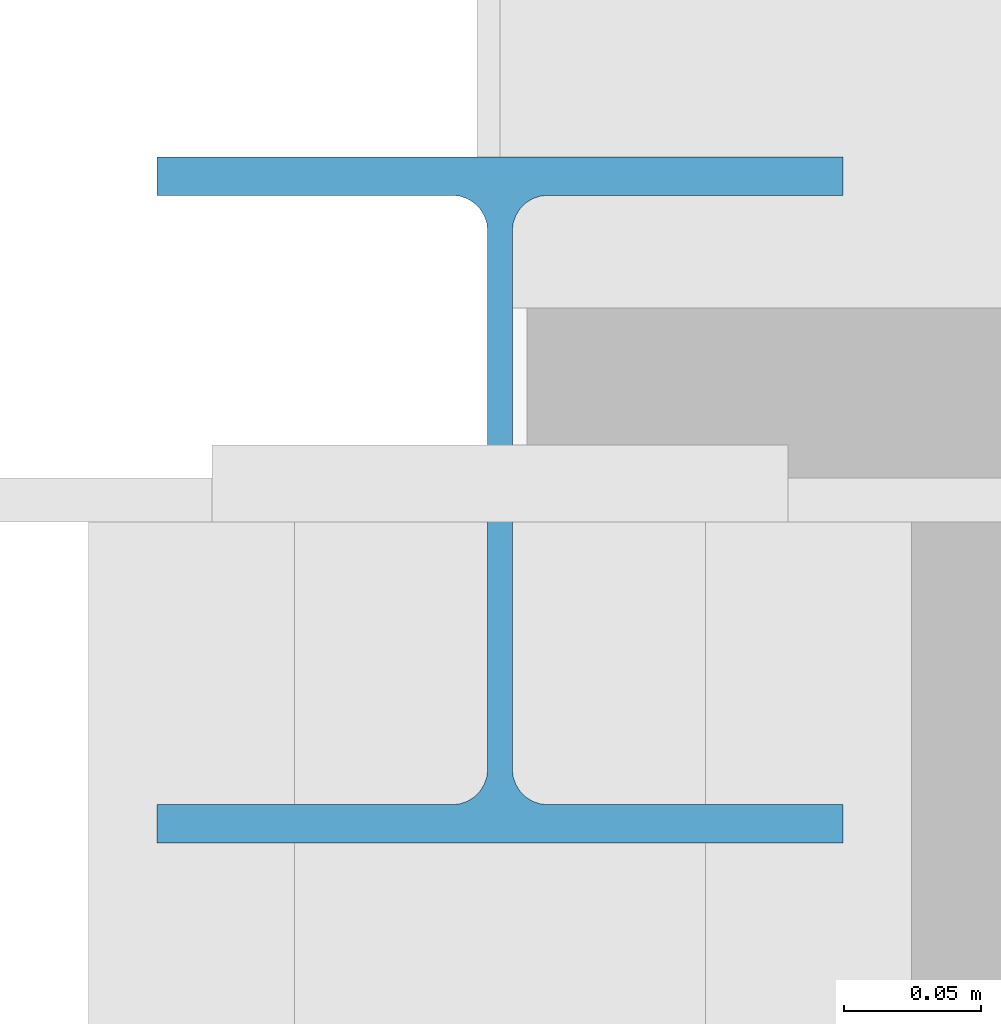
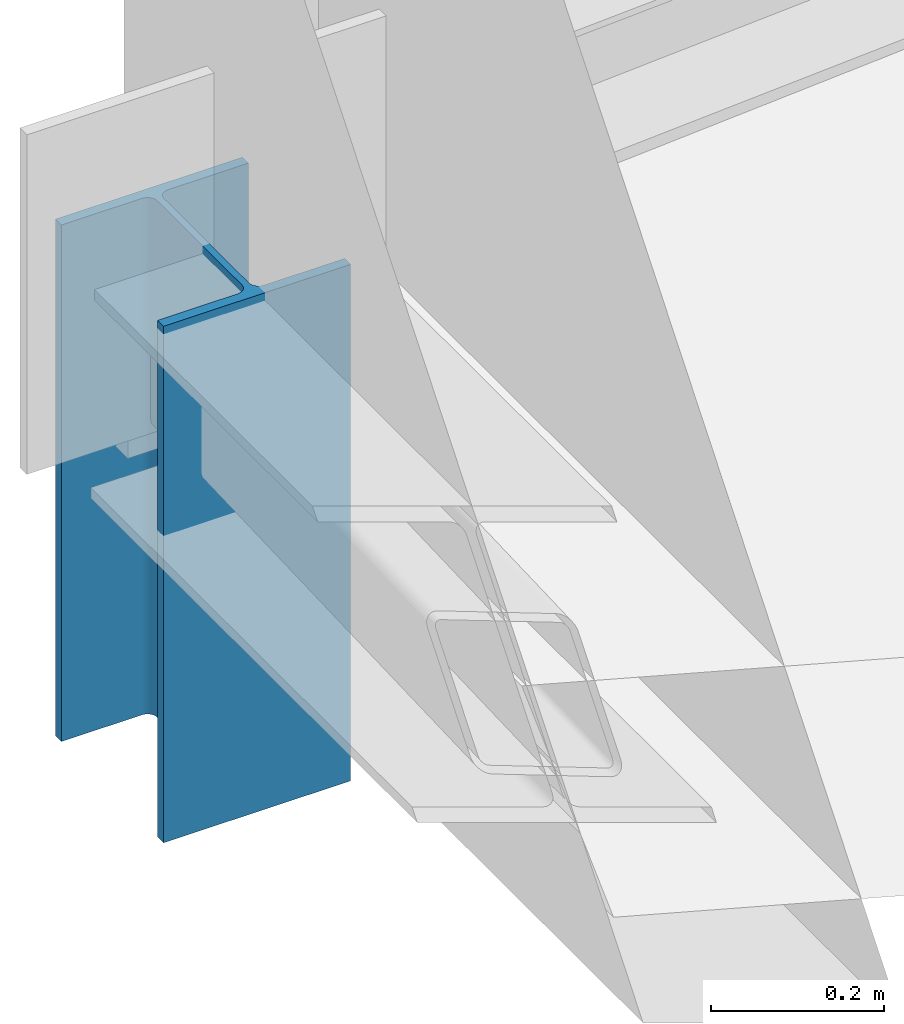
# One storey, part 51 of 77: 1 member.
"""IFC4 building model written with IfcOpenShell, lengths in metres."""

from ifc_helpers import new_model, si_unit, direction, frame, origin, origin_2d, place, context, subcontext, project, spatial, i_section, extrude, material, material_profile, profile_set, type_object, element, save


model = new_model("IFC4")

# Units and contexts
model_context = context("Model", 3, precision=1e-05, world=origin(), true_north=direction((0.0, 1.0)))
body_context = subcontext(model_context, "Body", "Model", "MODEL_VIEW")
ifc_project = project(units=[si_unit("LENGTHUNIT", "METRE"), si_unit("AREAUNIT", "SQUARE_METRE"), si_unit("VOLUMEUNIT", "CUBIC_METRE"), si_unit("PLANEANGLEUNIT", "RADIAN"), si_unit("MASSUNIT", "GRAM", prefix="KILO")], contexts=[model_context])

# Site, building, storey
site_placement = place(None, origin())
site = spatial("IfcSite", under=ifc_project, at=site_placement, CompositionType="ELEMENT")
building_placement = place(site_placement, origin())
building = spatial("IfcBuilding", under=site, at=building_placement, Name="Larkvane Passage Sports Hall", CompositionType="ELEMENT")
storey_placement = place(building_placement, frame((0.0, 0.0, 22.199951171875)))
storey = spatial("IfcBuildingStorey", under=building, at=storey_placement, Name="RF", CompositionType="ELEMENT", Elevation=22.199951171875)

# Member
ifc_material = material(Name="Steel S355JR", Category="steel")
ifc_material_profile = material_profile(ifc_material, i_section(OverallWidth=0.25, OverallDepth=0.25, WebThickness=0.009033203125, FlangeThickness=0.013916015625, FilletRadius=0.012939453125, at=origin_2d()), Name="H-250x250x9x14")
ifc_profile_set = profile_set([ifc_material_profile], Name="Steel S355JR")
member_type = type_object("IfcMemberType", Name="MBR-ST-H250", PredefinedType="STRUT", material=ifc_profile_set)
member_placement = place(storey_placement, frame((0.0, 99.0, -0.550048828125), z_axis=(0.0, 0.0, 1.0), x_axis=(1.0, 0.0, 0.0)))
element("IfcMember", 1, at=member_placement, inside=storey, type_object=member_type, Name="Northwest hall roof eave strut STRUT5-RF-W3-N", PredefinedType="STRUT", context=body_context, shape_type="SweptSolid", body=[
    extrude(i_section(OverallWidth=0.25, OverallDepth=0.25, WebThickness=0.009033203125, FlangeThickness=0.013916015625, FilletRadius=0.012939453125, at=origin_2d()), origin(), (0.0, 0.0, 1.0), 0.72998046875),
])

save(model, "model.ifc")
